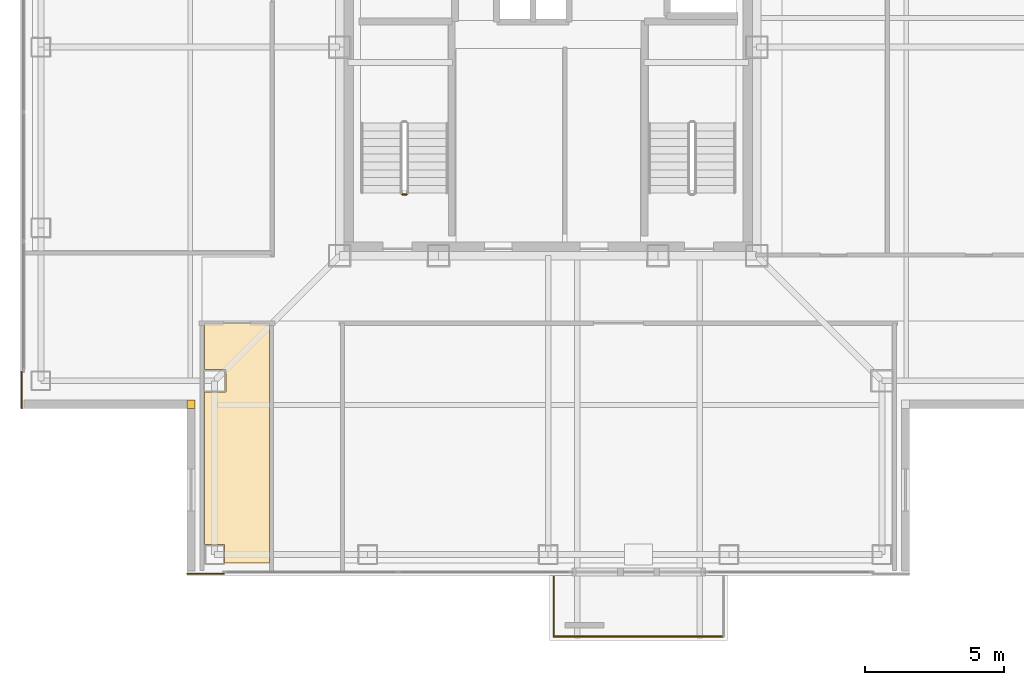
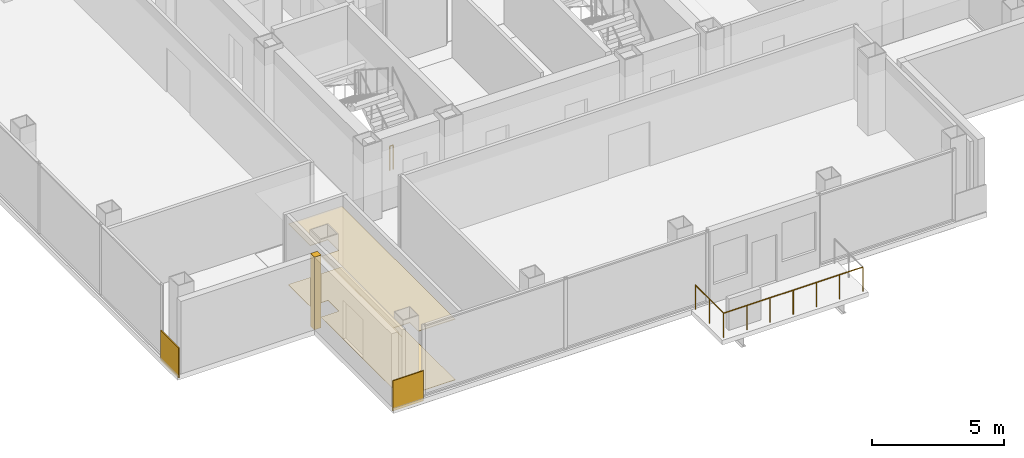
# One storey, part 10 of 15: 5 coverings, 3 railings.
"""IFC4 building model written with IfcOpenShell, lengths in metres."""

import ifcopenshell
import ifcopenshell.guid

model = None  # the IFC model being written
_history = None  # IfcOwnerHistory: only IFC2X3 demands one
_inside = {}  # id of a spatial element -> (the spatial element, [elements in it])
_under = {}  # id of a project, library or spatial element -> (it, [spatial elements below it])
_declared = {}  # id of a project -> (the project, [libraries it declares])
_typed = {}  # id of a type object -> (the type object, [elements of that type])
_made_of = {}  # id of a material, layer set ... -> (it, [elements and type objects made of it])


def new_model(schema):
    """Start an empty IFC model of exactly this schema.

    Asked for "IFC4X3", IfcOpenShell would pick the latest addendum, in which some entities
    have other attributes; the version numbers below select the first issue.
    IFC2X3 requires an IfcOwnerHistory on every rooted entity: one is made here for all.
    """
    global model, _history
    if schema == "IFC4X3":
        model = ifcopenshell.file(schema_version=(4, 3, 0, 0))
    else:
        model = ifcopenshell.file(schema=schema)
    _inside.clear()
    _under.clear()
    _declared.clear()
    _typed.clear()
    _made_of.clear()
    _history = None
    if model.schema == "IFC2X3":
        org = make("IfcOrganization", Name="unknown")
        user = make(
            "IfcPersonAndOrganization",
            ThePerson=make("IfcPerson", FamilyName="unknown"),
            TheOrganization=org,
        )
        app = make(
            "IfcApplication",
            ApplicationDeveloper=org,
            Version="unknown",
            ApplicationFullName="unknown",
            ApplicationIdentifier="unknown",
        )
        _history = make(
            "IfcOwnerHistory",
            OwningUser=user,
            OwningApplication=app,
            ChangeAction="ADDED",
            CreationDate=0,
        )
    return model


def make(cls, **values):
    """One entity of the class cls with the attributes given. An attribute that is None is left unset."""
    return model.create_entity(
        cls, **{name: value for name, value in values.items() if value is not None}
    )


def rooted(cls, **values):
    """An entity with a GlobalId (a new one), such as an element, a storey or a relation."""
    return make(cls, GlobalId=ifcopenshell.guid.new(), OwnerHistory=_history, **values)


def si_unit(unit_type, name, prefix=None):
    """IfcSIUnit, for example si_unit("LENGTHUNIT", "METRE", prefix="MILLI")."""
    return make("IfcSIUnit", UnitType=unit_type, Prefix=prefix, Name=name)


def assignment(units):
    """IfcUnitAssignment: the units of a project."""
    return None if units is None else make("IfcUnitAssignment", Units=units)


def point(xyz):
    """IfcCartesianPoint."""
    return None if xyz is None else make("IfcCartesianPoint", Coordinates=xyz)


def direction(xyz):
    """IfcDirection."""
    return None if xyz is None else make("IfcDirection", DirectionRatios=xyz)


def frame(location, z_axis=None, x_axis=None):
    """IfcAxis2Placement3D, a coordinate frame: its origin and axes. An axis left out is left unset."""
    return make(
        "IfcAxis2Placement3D",
        Location=point(location),
        Axis=direction(z_axis),
        RefDirection=direction(x_axis),
    )


def frame_2d(location, x_axis=None):
    """IfcAxis2Placement2D, a coordinate frame in the plane: its origin and x axis."""
    return make(
        "IfcAxis2Placement2D", Location=point(location), RefDirection=direction(x_axis)
    )


def origin():
    """The frame at (0, 0, 0) with its axes left unset."""
    return frame((0.0, 0.0, 0.0))


def origin_2d():
    """The frame at (0, 0) in the plane with its x axis left unset."""
    return frame_2d((0.0, 0.0))


def place(relative_to, where):
    """IfcLocalPlacement: puts the frame where relative to a parent placement (None: the world)."""
    return make(
        "IfcLocalPlacement", PlacementRelTo=relative_to, RelativePlacement=where
    )


def context(
    kind, dimensions, precision=None, world=None, true_north=None, identifier=None
):
    """IfcGeometricRepresentationContext, for example the 3D "Model" context."""
    return make(
        "IfcGeometricRepresentationContext",
        ContextIdentifier=identifier,
        ContextType=kind,
        CoordinateSpaceDimension=dimensions,
        Precision=precision,
        WorldCoordinateSystem=world,
        TrueNorth=true_north,
    )


def subcontext(parent, identifier, kind, view, scale=None):
    """IfcGeometricRepresentationSubContext, for example "Body" below "Model"."""
    return make(
        "IfcGeometricRepresentationSubContext",
        ContextIdentifier=identifier,
        ContextType=kind,
        ParentContext=parent,
        TargetScale=scale,
        TargetView=view,
    )


def project(units=None, contexts=None):
    """IfcProject with its units and contexts."""
    return rooted(
        "IfcProject",
        Name="project",
        RepresentationContexts=contexts,
        UnitsInContext=assignment(units),
    )


def spatial(cls, under=None, at=None, **own):
    """A site, building, storey or space (cls), placed at a placement, below another one or the project."""
    s = rooted(cls, ObjectPlacement=at, **own)
    if under is not None:
        _under.setdefault(under.id(), (under, []))[1].append(s)
    return s


def polyline(points):
    """IfcPolyline through the points."""
    return make("IfcPolyline", Points=[point(p) for p in points])


def profile(cls, at=None, kind="AREA", **sizes):
    """A parametric profile (cls). Its sizes go by their IFC names, for example OverallWidth=200.0."""
    return make(cls, ProfileType=kind, Position=at, **sizes)


def rectangle(**sizes):
    """IfcRectangleProfileDef."""
    return profile("IfcRectangleProfileDef", **sizes)


def circle(**sizes):
    """IfcCircleProfileDef."""
    return profile("IfcCircleProfileDef", **sizes)


def outline(outer, holes=None, kind="AREA"):
    """IfcArbitraryClosedProfileDef: a profile drawn as a closed curve; with holes, ...WithVoids."""
    if holes is None:
        return make("IfcArbitraryClosedProfileDef", ProfileType=kind, OuterCurve=outer)
    return make(
        "IfcArbitraryProfileDefWithVoids",
        ProfileType=kind,
        OuterCurve=outer,
        InnerCurves=holes,
    )


def extrude(swept, where, along, depth):
    """IfcExtrudedAreaSolid: the profile swept, set in the frame where, extruded along a direction by depth."""
    return make(
        "IfcExtrudedAreaSolid",
        SweptArea=swept,
        Position=where,
        ExtrudedDirection=direction(along),
        Depth=depth,
    )


def shape(context_of_items, identifier, shape_type, items):
    """IfcShapeRepresentation: the items that make up one representation, for example the "Body"."""
    return make(
        "IfcShapeRepresentation",
        ContextOfItems=context_of_items,
        RepresentationIdentifier=identifier,
        RepresentationType=shape_type,
        Items=items,
    )


def material(Name=None, Category=None):
    """IfcMaterial."""
    return make("IfcMaterial", Name=Name, Category=Category)


def layer(
    of_material, thickness, ventilated=None, Name=None, Category=None, Priority=None
):
    """IfcMaterialLayer: one layer of a wall or slab, of a material (None: an air gap)."""
    return make(
        "IfcMaterialLayer",
        Material=of_material,
        LayerThickness=thickness,
        IsVentilated=ventilated,
        Name=Name,
        Category=Category,
        Priority=Priority,
    )


def layer_set(layers, Name=None):
    """IfcMaterialLayerSet."""
    return make("IfcMaterialLayerSet", MaterialLayers=layers, LayerSetName=Name)


def made_of(thing, what):
    """Note that an element or type object is made of a material, layer set ...; save() writes the relation."""
    if what is not None:
        _made_of.setdefault(what.id(), (what, []))[1].append(thing)
    return thing


def type_object(cls, material=None, **own):
    """A type object (cls), such as IfcWallType, which elements share."""
    return made_of(rooted(cls, **own), material)


def element(
    cls,
    number,
    at=None,
    inside=None,
    cuts=None,
    type_object=None,
    material=None,
    context=None,
    identifier="Body",
    shape_type=None,
    held_by="IfcProductDefinitionShape",
    body=None,
    shapes=None,
    **own,
):
    """One element of the class cls, such as IfcWall. Its Tag is "e" and its number.

    at: its placement. inside: the storey or other place that contains it. cuts: it is an
    opening in that element (IfcRelVoidsElement). A single representation is given by context,
    identifier, shape_type and body (its items); several are given by shapes. held_by: the class
    of the entity that holds the representations. save() writes the other relations.
    """
    e = rooted(cls, Tag="e%d" % number, ObjectPlacement=at, **own)
    if body is not None:
        shapes = [shape(context, identifier, shape_type, body)]
    if shapes is not None:
        e.Representation = make(held_by, Representations=shapes)
    if inside is not None:
        _inside.setdefault(inside.id(), (inside, []))[1].append(e)
    if cuts is not None:
        rooted(
            "IfcRelVoidsElement", RelatingBuildingElement=cuts, RelatedOpeningElement=e
        )
    if type_object is not None:
        _typed.setdefault(type_object.id(), (type_object, []))[1].append(e)
    return made_of(e, material)


def aggregate(whole, parts):
    """IfcRelAggregates: a whole, such as a stair, and the parts it consists of."""
    return rooted("IfcRelAggregates", RelatingObject=whole, RelatedObjects=parts)


def save(model, path):
    """Write the relations noted so far, then the file.

    IfcRelAggregates (storeys below a building ...), IfcRelContainedInSpatialStructure (elements
    in a storey), IfcRelDefinesByType, IfcRelAssociatesMaterial and IfcRelDeclares: one each for
    every whole, place, type object, material and project.
    """
    for whole, parts in _under.values():
        aggregate(whole, parts)
    for where, things in _inside.values():
        rooted(
            "IfcRelContainedInSpatialStructure",
            RelatedElements=things,
            RelatingStructure=where,
        )
    for kind, things in _typed.values():
        rooted("IfcRelDefinesByType", RelatedObjects=things, RelatingType=kind)
    for what, things in _made_of.values():
        rooted("IfcRelAssociatesMaterial", RelatedObjects=things, RelatingMaterial=what)
    for by, libraries in _declared.values():
        rooted("IfcRelDeclares", RelatingContext=by, RelatedDefinitions=libraries)
    model.write(path)


model = new_model("IFC4")

# Units and contexts
model_context = context("Model", 3, precision=1e-05, world=origin(), true_north=direction((0.0, 1.0)))
body_context = subcontext(model_context, "Body", "Model", "MODEL_VIEW")
ifc_project = project(units=[si_unit("LENGTHUNIT", "METRE"), si_unit("AREAUNIT", "SQUARE_METRE"), si_unit("VOLUMEUNIT", "CUBIC_METRE"), si_unit("PLANEANGLEUNIT", "RADIAN"), si_unit("MASSUNIT", "GRAM", prefix="KILO")], contexts=[model_context])

# Site, building, storey
site_placement = place(None, origin())
site = spatial("IfcSite", under=ifc_project, at=site_placement, CompositionType="ELEMENT")
building_placement = place(site_placement, origin())
building = spatial("IfcBuilding", under=site, at=building_placement, Name="Trevonay Congress Spire", CompositionType="ELEMENT")
storey_placement = place(building_placement, frame((0.0, 0.0, 243.199951171875)))
storey = spatial("IfcBuildingStorey", under=building, at=storey_placement, Name="L63", CompositionType="ELEMENT", Elevation=243.199951171875)

# Coverings
ifc_material_1 = material(Name="Acoustic Mineral Fibre Board", Category="gypsum")
ifc_layer_1 = layer(ifc_material_1, 0.02490234375, Name="Acoustic Mineral Fibre Board")
ifc_layer_set_1 = layer_set([ifc_layer_1], Name="Acoustic Mineral Fibre Board")
covering_type_1 = type_object("IfcCoveringType", Name="COV-CEIL-ACOUSTIC", PredefinedType="CEILING", material=ifc_layer_set_1)
covering_1_placement = place(storey_placement, frame((0.0, 0.0, 2.81005859375)))
element("IfcCovering", 1, at=covering_1_placement, inside=storey, type_object=covering_type_1, Name="L63 Secretary-General Green Room acoustic suspended ceiling", PredefinedType="CEILING", context=body_context, shape_type="SweptSolid", body=[
    extrude(outline(polyline([(-12.3701171875, -18.550048828125), (-12.3701171875, -12.409912109375), (-11.590087890625, -12.409912109375), (-11.590087890625, -11.590087890625), (-12.3701171875, -11.590087890625), (-12.3701171875, -9.929931640625), (-10.030029296875, -9.929931640625), (-10.030029296875, -18.550048828125), (-11.639892578125, -18.550048828125), (-11.639892578125, -17.889892578125), (-12.360107421875, -17.889892578125), (-12.360107421875, -18.550048828125), (-12.3701171875, -18.550048828125)])), origin(), (0.0, 0.0, 1.0), 0.02490234375),
])
ifc_material_2 = material(Name="Engineered Oak Flooring", Category="wood")
ifc_layer_2 = layer(ifc_material_2, 0.01806640625, Name="Engineered Oak Flooring")
ifc_layer_set_2 = layer_set([ifc_layer_2], Name="Engineered Oak Flooring")
covering_type_2 = type_object("IfcCoveringType", Name="COV-FLOOR-TIMBER", PredefinedType="FLOORING", material=ifc_layer_set_2)
covering_2_placement = place(storey_placement, origin())
element("IfcCovering", 2, at=covering_2_placement, inside=storey, type_object=covering_type_2, Name="L63 Secretary-General Green Room floor finish", PredefinedType="FLOORING", context=body_context, shape_type="SweptSolid", body=[
    extrude(outline(polyline([(-12.3701171875, -18.550048828125), (-12.3701171875, -12.409912109375), (-11.590087890625, -12.409912109375), (-11.590087890625, -11.590087890625), (-12.3701171875, -11.590087890625), (-12.3701171875, -9.929931640625), (-10.030029296875, -9.929931640625), (-10.030029296875, -18.550048828125), (-11.639892578125, -18.550048828125), (-11.639892578125, -17.889892578125), (-12.360107421875, -17.889892578125), (-12.360107421875, -18.550048828125), (-12.3701171875, -18.550048828125)])), origin(), (0.0, 0.0, 1.0), 0.01806640625),
])
ifc_material_3 = material(Name="Pale Anodised Aluminium EN AW-6063-T6", Category="aluminium")
ifc_layer_3 = layer(ifc_material_3, 0.0400390625, Name="Pale Anodised Aluminium EN AW-6063-T6")
ifc_layer_set_3 = layer_set([ifc_layer_3], Name="Pale Anodised Aluminium EN AW-6063-T6")
covering_type_3 = type_object("IfcCoveringType", Name="COV-SPANDREL-PALE-METAL", PredefinedType="CLADDING", material=ifc_layer_set_3)
covering_3_placement = place(storey_placement, origin())
element("IfcCovering", 3, at=covering_3_placement, inside=storey, type_object=covering_type_3, Name="L63 SW re-entrant notch corner closure trim", PredefinedType="CLADDING", context=body_context, shape_type="SweptSolid", body=[
    extrude(outline(polyline([(-13.0, -13.0), (-12.699951171875, -13.0), (-12.699951171875, -12.699951171875), (-13.0, -12.699951171875), (-13.0, -13.0)])), origin(), (0.0, 0.0, 1.0), 3.360107421875),
])
for number, where, z_axis, x_axis, name in (
    (4, (-18.93994140625, -11.64990234375, -0.14990234375), (0.0, 0.0, 1.0), (0.0, -1.0, 0.0), "L63 SW corner pier spandrel cladding 1"),
    (5, (-11.64990234375, -18.93994140625, -0.14990234375), (0.0, 0.0, 1.0), (-1.0, 0.0, 0.0), "L63 SW corner pier spandrel cladding 2"),
):
    element("IfcCovering", number, at=place(storey_placement, frame(where, z_axis=z_axis, x_axis=x_axis)), inside=storey, type_object=covering_type_3, Name=name, PredefinedType="CLADDING", context=body_context, shape_type="SweptSolid", body=[
        extrude(rectangle(XDim=1.35009765625, YDim=0.0400390625, at=frame_2d((0.675048828125, 0.0))), origin(), (0.0, 0.0, 1.0), 1.39990234375),
    ])

# Railings
railing_type_1 = type_object("IfcRailingType", Name="RAL-EXT-GUARD-115", PredefinedType="GUARDRAIL", material=ifc_material_3)
railing_1_placement = place(storey_placement, frame((0.199951171875, -19.050048828125, 0.0)))
element("IfcRailing", 6, at=railing_1_placement, inside=storey, type_object=railing_type_1, Name="L63 perimeter safety guard GRD-L63-TBAL-S-1", PredefinedType="GUARDRAIL", context=body_context, shape_type="SweptSolid", body=[
    extrude(circle(Radius=0.02392578125, at=origin_2d()), frame((0.0, 0.0, 1.1259765625), z_axis=(0.0, -1.0, 0.0), x_axis=(1.0, 0.0, 0.0)), (0.0, 0.0, 1.0), 2.14990234375),
    extrude(circle(Radius=0.02099609375, at=origin_2d()), origin(), (0.0, 0.0, 1.0), 1.101806640625),
    extrude(circle(Radius=0.02099609375, at=origin_2d()), frame((0.0, -1.074951171875, 0.0)), (0.0, 0.0, 1.0), 1.101806640625),
    extrude(circle(Radius=0.02099609375, at=origin_2d()), frame((0.0, -2.14990234375, 0.0)), (0.0, 0.0, 1.0), 1.101806640625),
])
railing_2_placement = place(storey_placement, frame((0.199951171875, -21.199951171875, 0.0)))
element("IfcRailing", 7, at=railing_2_placement, inside=storey, type_object=railing_type_1, Name="L63 perimeter safety guard GRD-L63-TBAL-S-2", PredefinedType="GUARDRAIL", context=body_context, shape_type="SweptSolid", body=[
    extrude(circle(Radius=0.02392578125, at=origin_2d()), frame((0.0, 0.0, 1.1259765625), z_axis=(1.0, 0.0, 0.0), x_axis=(0.0, 1.0, 0.0)), (0.0, 0.0, 1.0), 6.10009765625),
    extrude(circle(Radius=0.02099609375, at=origin_2d()), origin(), (0.0, 0.0, 1.0), 1.101806640625),
    extrude(circle(Radius=0.02099609375, at=origin_2d()), frame((1.0166015625, 0.0, 0.0)), (0.0, 0.0, 1.0), 1.101806640625),
    extrude(circle(Radius=0.02099609375, at=origin_2d()), frame((2.033447265625, 0.0, 0.0)), (0.0, 0.0, 1.0), 1.101806640625),
    extrude(circle(Radius=0.02099609375, at=origin_2d()), frame((3.050048828125, 0.0, 0.0)), (0.0, 0.0, 1.0), 1.101806640625),
    extrude(circle(Radius=0.02099609375, at=origin_2d()), frame((4.066650390625, 0.0, 0.0)), (0.0, 0.0, 1.0), 1.101806640625),
    extrude(circle(Radius=0.02099609375, at=origin_2d()), frame((5.08349609375, 0.0, 0.0)), (0.0, 0.0, 1.0), 1.101806640625),
    extrude(circle(Radius=0.02099609375, at=origin_2d()), frame((6.10009765625, 0.0, 0.0)), (0.0, 0.0, 1.0), 1.101806640625),
])
railing_type_2 = type_object("IfcRailingType", Name="RAL-STAIR-GUARD-110", PredefinedType="GUARDRAIL", material=ifc_material_3)
railing_3_placement = place(storey_placement, frame((-5.10009765625, -5.300048828125, 0.0)))
element("IfcRailing", 8, at=railing_3_placement, inside=storey, type_object=railing_type_2, Name="L63 ST-1 stair guard 4", PredefinedType="GUARDRAIL", context=body_context, shape_type="SweptSolid", body=[
    extrude(circle(Radius=0.02392578125, at=origin_2d()), frame((0.0, 0.0, 1.1259765625), z_axis=(-1.0, 0.0, 0.0), x_axis=(0.0, -1.0, 0.0)), (0.0, 0.0, 1.0), 0.14990234375),
    extrude(circle(Radius=0.02099609375, at=origin_2d()), origin(), (0.0, 0.0, 1.0), 1.101806640625),
    extrude(circle(Radius=0.02099609375, at=origin_2d()), frame((-0.14990234375, 0.0, 0.0)), (0.0, 0.0, 1.0), 1.101806640625),
])

save(model, "model.ifc")
